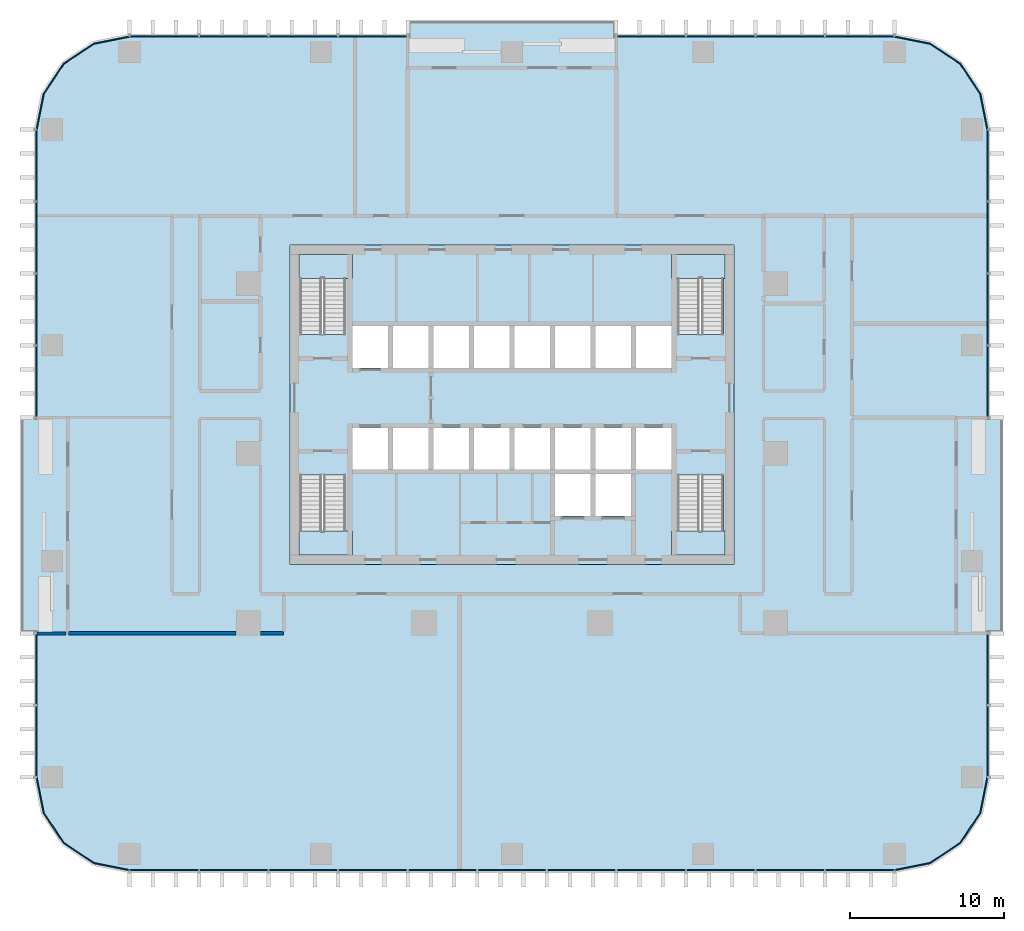
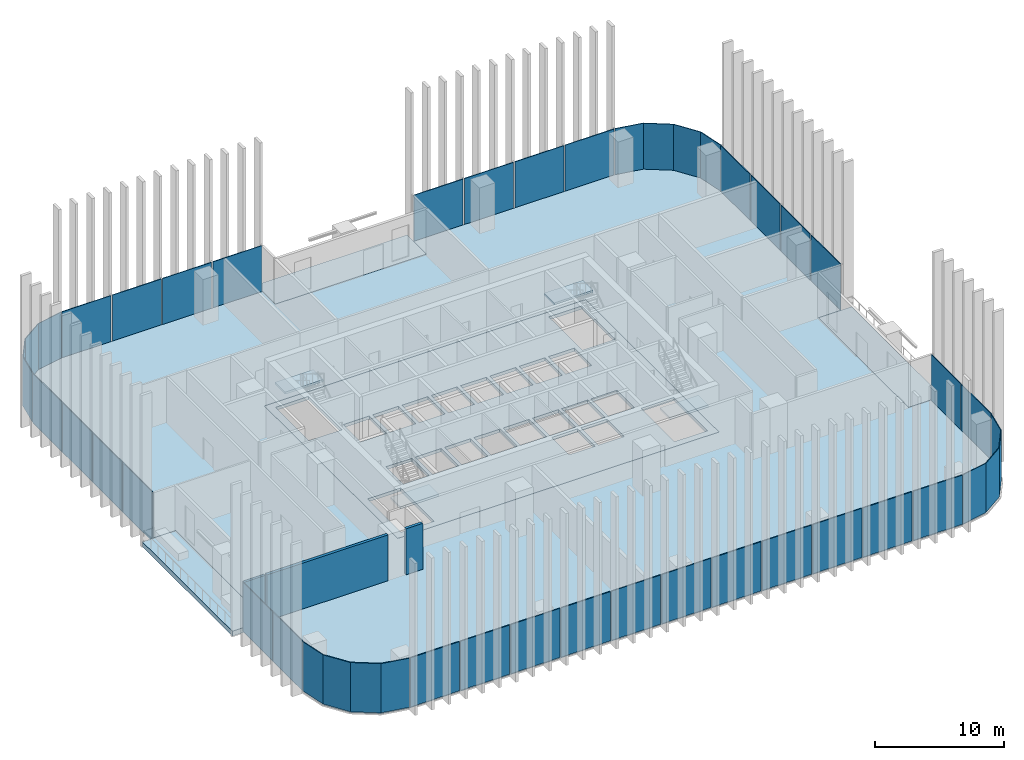
# One storey, part 6 of 17: 35 plates, 9 slabs, 3 walls, 15 elements without a shape of their own.
"""IFC4 building model written with IfcOpenShell, lengths in metres."""

from ifc_helpers import new_model, si_unit, direction, frame, frame_2d, origin, origin_2d, place, context, subcontext, project, spatial, polyline, rectangle, outline, extrude, material, layer, layer_set, type_object, element, aggregate, save


model = new_model("IFC4")

# Units and contexts
model_context = context("Model", 3, precision=1e-05, world=origin(), true_north=direction((0.0, 1.0)))
body_context = subcontext(model_context, "Body", "Model", "MODEL_VIEW")
ifc_project = project(units=[si_unit("LENGTHUNIT", "METRE"), si_unit("AREAUNIT", "SQUARE_METRE"), si_unit("VOLUMEUNIT", "CUBIC_METRE"), si_unit("PLANEANGLEUNIT", "RADIAN"), si_unit("MASSUNIT", "GRAM", prefix="KILO")], contexts=[model_context])

# Site, building, storey
site_placement = place(None, origin())
site = spatial("IfcSite", under=ifc_project, at=site_placement, CompositionType="ELEMENT")
building_placement = place(site_placement, origin())
building = spatial("IfcBuilding", under=site, at=building_placement, Name="Mopane Tessera Tower", CompositionType="ELEMENT")
storey_placement = place(building_placement, frame((0.0, 0.0, 45.39990234375)))
storey = spatial("IfcBuildingStorey", under=building, at=storey_placement, Name="L08", CompositionType="ELEMENT", Elevation=45.39990234375)

# Slab
ifc_material_1 = material(Name="Concrete C40/50", Category="concrete")
ifc_layer_1 = layer(ifc_material_1, 0.300048828125)
ifc_layer_set_1 = layer_set([ifc_layer_1], Name="Concrete C40/50")
slab_type_1 = type_object("IfcSlabType", Name="Core floor slab 300 mm", PredefinedType="FLOOR", material=ifc_layer_set_1)
slab_1_placement = place(storey_placement, frame((0.0, 0.0, -0.2998046875)))
element("IfcSlab", 1, at=slab_1_placement, inside=storey, type_object=slab_type_1, Name="L08 core floor slab", PredefinedType="FLOOR", context=body_context, shape_type="SweptSolid", body=[
    extrude(outline(polyline([(-14.39990234375, -7.199951171875), (14.39990234375, -7.199951171875), (14.39990234375, 13.5), (-14.39990234375, 13.5), (-14.39990234375, -7.199951171875)]), holes=[polyline([(-10.35009765625, -1.050048828125), (-8.02490234375, -1.050048828125), (-8.02490234375, 1.64990234375), (-10.35009765625, 1.64990234375), (-10.35009765625, -1.050048828125)]), polyline([(-7.72509765625, -1.050048828125), (-5.39990234375, -1.050048828125), (-5.39990234375, 1.64990234375), (-7.72509765625, 1.64990234375), (-7.72509765625, -1.050048828125)]), polyline([(-5.10009765625, -1.050048828125), (-2.77490234375, -1.050048828125), (-2.77490234375, 1.64990234375), (-5.10009765625, 1.64990234375), (-5.10009765625, -1.050048828125)]), polyline([(-2.47509765625, -1.050048828125), (-0.14990234375, -1.050048828125), (-0.14990234375, 1.64990234375), (-2.47509765625, 1.64990234375), (-2.47509765625, -1.050048828125)]), polyline([(0.14990234375, -1.050048828125), (2.47509765625, -1.050048828125), (2.47509765625, 1.64990234375), (0.14990234375, 1.64990234375), (0.14990234375, -1.050048828125)]), polyline([(2.77490234375, -1.050048828125), (5.10009765625, -1.050048828125), (5.10009765625, 1.64990234375), (2.77490234375, 1.64990234375), (2.77490234375, -1.050048828125)]), polyline([(5.39990234375, -1.050048828125), (7.72509765625, -1.050048828125), (7.72509765625, 1.64990234375), (5.39990234375, 1.64990234375), (5.39990234375, -1.050048828125)]), polyline([(8.02490234375, -1.050048828125), (10.35009765625, -1.050048828125), (10.35009765625, 1.64990234375), (8.02490234375, 1.64990234375), (8.02490234375, -1.050048828125)]), polyline([(-10.35009765625, 5.550048828125), (-8.02490234375, 5.550048828125), (-8.02490234375, 8.25), (-10.35009765625, 8.25), (-10.35009765625, 5.550048828125)]), polyline([(-7.72509765625, 5.550048828125), (-5.39990234375, 5.550048828125), (-5.39990234375, 8.25), (-7.72509765625, 8.25), (-7.72509765625, 5.550048828125)]), polyline([(-5.10009765625, 5.550048828125), (-2.77490234375, 5.550048828125), (-2.77490234375, 8.25), (-5.10009765625, 8.25), (-5.10009765625, 5.550048828125)]), polyline([(-2.47509765625, 5.550048828125), (-0.14990234375, 5.550048828125), (-0.14990234375, 8.25), (-2.47509765625, 8.25), (-2.47509765625, 5.550048828125)]), polyline([(0.14990234375, 5.550048828125), (2.47509765625, 5.550048828125), (2.47509765625, 8.25), (0.14990234375, 8.25), (0.14990234375, 5.550048828125)]), polyline([(2.77490234375, 5.550048828125), (5.10009765625, 5.550048828125), (5.10009765625, 8.25), (2.77490234375, 8.25), (2.77490234375, 5.550048828125)]), polyline([(5.39990234375, 5.550048828125), (7.72509765625, 5.550048828125), (7.72509765625, 8.25), (5.39990234375, 8.25), (5.39990234375, 5.550048828125)]), polyline([(8.02490234375, 5.550048828125), (10.35009765625, 5.550048828125), (10.35009765625, 8.25), (8.02490234375, 8.25), (8.02490234375, 5.550048828125)]), polyline([(2.77490234375, -4.050048828125), (5.10009765625, -4.050048828125), (5.10009765625, -1.35009765625), (2.77490234375, -1.35009765625), (2.77490234375, -4.050048828125)]), polyline([(5.39990234375, -4.050048828125), (7.72509765625, -4.050048828125), (7.72509765625, -1.35009765625), (5.39990234375, -1.35009765625), (5.39990234375, -4.050048828125)]), polyline([(-13.75, -1.405029296875), (-13.75, -6.60009765625), (-10.800048828125, -6.60009765625), (-10.800048828125, -1.405029296875), (-13.75, -1.405029296875)]), polyline([(-10.800048828125, 7.705078125), (-10.800048828125, 12.89990234375), (-13.75, 12.89990234375), (-13.75, 7.705078125), (-10.800048828125, 7.705078125)]), polyline([(10.75, -1.405029296875), (10.75, -6.60009765625), (13.699951171875, -6.60009765625), (13.699951171875, -1.405029296875), (10.75, -1.405029296875)]), polyline([(13.699951171875, 7.705078125), (13.699951171875, 12.89990234375), (10.75, 12.89990234375), (10.75, 7.705078125), (13.699951171875, 7.705078125)])]), origin(), (0.0, 0.0, 1.0), 0.2998046875),
])

# Stair, slab
ifc_material_2 = material(Name="Concrete C50/60", Category="concrete")
stair_type = type_object("IfcStairType", Name="Escape stair 1400 mm, riser 171 mm", PredefinedType="HALF_TURN_STAIR", material=ifc_material_2)
stair_1_placement = place(storey_placement, origin())
stair_1 = element("IfcStair", 2, at=stair_1_placement, inside=storey, type_object=stair_type, Name="L08 Escape stair south-west", PredefinedType="HALF_TURN_STAIR")
ifc_material_3 = material(Name="Concrete C50/60", Category="concrete")
ifc_layer_2 = layer(ifc_material_3, 0.199951171875)
ifc_layer_set_2 = layer_set([ifc_layer_2], Name="Concrete C50/60")
slab_type_2 = type_object("IfcSlabType", Name="Escape stair landing 200 mm", PredefinedType="LANDING", material=ifc_layer_set_2)
slab_2_placement = place(storey_placement, frame((0.0, 0.0, 2.2001953125)))
slab_2 = element("IfcSlab", 3, at=slab_2_placement, type_object=slab_type_2, Name="ST1 landing 1", PredefinedType="LANDING", context=body_context, shape_type="SweptSolid", body=[
    extrude(outline(polyline([(-13.800048828125, -5.0400390625), (-13.800048828125, -6.60009765625), (-10.35009765625, -6.60009765625), (-10.35009765625, -5.0400390625), (-13.800048828125, -5.0400390625)])), origin(), (0.0, 0.0, 1.0), 0.199951171875),
])
aggregate(stair_1, [slab_2])

stair_2_placement = place(storey_placement, origin())
stair_2 = element("IfcStair", 4, at=stair_2_placement, inside=storey, type_object=stair_type, Name="L08 Escape stair north-west", PredefinedType="HALF_TURN_STAIR")
slab_3_placement = place(storey_placement, frame((0.0, 0.0, 2.2001953125)))
slab_3 = element("IfcSlab", 5, at=slab_3_placement, type_object=slab_type_2, Name="ST2 landing 1", PredefinedType="LANDING", context=body_context, shape_type="SweptSolid", body=[
    extrude(outline(polyline([(-10.35009765625, 11.340087890625), (-10.35009765625, 12.89990234375), (-13.800048828125, 12.89990234375), (-13.800048828125, 11.340087890625), (-10.35009765625, 11.340087890625)])), origin(), (0.0, 0.0, 1.0), 0.199951171875),
])
aggregate(stair_2, [slab_3])

stair_3_placement = place(storey_placement, origin())
stair_3 = element("IfcStair", 6, at=stair_3_placement, inside=storey, type_object=stair_type, Name="L08 Escape stair south-east", PredefinedType="HALF_TURN_STAIR")
slab_4_placement = place(storey_placement, frame((0.0, 0.0, 2.2001953125)))
slab_4 = element("IfcSlab", 7, at=slab_4_placement, type_object=slab_type_2, Name="ST3 landing 1", PredefinedType="LANDING", context=body_context, shape_type="SweptSolid", body=[
    extrude(outline(polyline([(10.35009765625, -5.0400390625), (10.35009765625, -6.60009765625), (13.800048828125, -6.60009765625), (13.800048828125, -5.0400390625), (10.35009765625, -5.0400390625)])), origin(), (0.0, 0.0, 1.0), 0.199951171875),
])
aggregate(stair_3, [slab_4])

stair_4_placement = place(storey_placement, origin())
stair_4 = element("IfcStair", 8, at=stair_4_placement, inside=storey, type_object=stair_type, Name="L08 Escape stair north-east", PredefinedType="HALF_TURN_STAIR")
slab_5_placement = place(storey_placement, frame((0.0, 0.0, 2.2001953125)))
slab_5 = element("IfcSlab", 9, at=slab_5_placement, type_object=slab_type_2, Name="ST4 landing 1", PredefinedType="LANDING", context=body_context, shape_type="SweptSolid", body=[
    extrude(outline(polyline([(13.800048828125, 11.340087890625), (13.800048828125, 12.89990234375), (10.35009765625, 12.89990234375), (10.35009765625, 11.340087890625), (13.800048828125, 11.340087890625)])), origin(), (0.0, 0.0, 1.0), 0.199951171875),
])
aggregate(stair_4, [slab_5])

# Curtain wall, plates
ifc_material_4 = material(Name="Aluminium frame", Category="aluminium")
curtain_wall_type = type_object("IfcCurtainWallType", Name="Lower tower unitised wall", PredefinedType="NOTDEFINED", material=ifc_material_4)
curtain_wall_1_placement = place(storey_placement, origin())
curtain_wall_1 = element("IfcCurtainWall", 10, at=curtain_wall_1_placement, inside=storey, type_object=curtain_wall_type, Name="e:cw:L08:S:0", PredefinedType="NOTDEFINED")
ifc_material_5 = material(Name="Clear laminated glass", Category="glass")
ifc_layer_3 = layer(ifc_material_5, 0.070068359375)
ifc_layer_set_3 = layer_set([ifc_layer_3], Name="Clear laminated glass")
plate_type = type_object("IfcPlateType", Name="Laminated glazed unit 70", PredefinedType="CURTAIN_PANEL", material=ifc_layer_set_3)
plate_1_placement = place(storey_placement, frame((-22.54541015625, -27.034912109375, -0.31005859375), z_axis=(0.0, 0.0, 1.0), x_axis=(1.0, 0.0, 0.0)))
plate_1 = element("IfcPlate", 11, at=plate_1_placement, type_object=plate_type, Name="e:cw:L08:S:0:pn0", PredefinedType="CURTAIN_PANEL", context=body_context, shape_type="SweptSolid", body=[
    extrude(rectangle(XDim=4.399169921875, YDim=0.070068359375, at=origin_2d()), origin(), (0.0, 0.0, 1.0), 4.659912109375),
])
plate_2_placement = place(storey_placement, frame((-18.036376953125, -27.034912109375, -0.31005859375), z_axis=(0.0, 0.0, 1.0), x_axis=(1.0, 0.0, 0.0)))
plate_2 = element("IfcPlate", 12, at=plate_2_placement, type_object=plate_type, Name="e:cw:L08:S:0:pn1", PredefinedType="CURTAIN_PANEL", context=body_context, shape_type="SweptSolid", body=[
    extrude(rectangle(XDim=4.399169921875, YDim=0.070068359375, at=origin_2d()), origin(), (0.0, 0.0, 1.0), 4.659912109375),
])
plate_3_placement = place(storey_placement, frame((-13.52734375, -27.034912109375, -0.31005859375), z_axis=(0.0, 0.0, 1.0), x_axis=(1.0, 0.0, 0.0)))
plate_3 = element("IfcPlate", 13, at=plate_3_placement, type_object=plate_type, Name="e:cw:L08:S:0:pn2", PredefinedType="CURTAIN_PANEL", context=body_context, shape_type="SweptSolid", body=[
    extrude(rectangle(XDim=4.399169921875, YDim=0.070068359375, at=origin_2d()), origin(), (0.0, 0.0, 1.0), 4.659912109375),
])
plate_4_placement = place(storey_placement, frame((-9.01806640625, -27.034912109375, -0.31005859375), z_axis=(0.0, 0.0, 1.0), x_axis=(1.0, 0.0, 0.0)))
plate_4 = element("IfcPlate", 14, at=plate_4_placement, type_object=plate_type, Name="e:cw:L08:S:0:pn3", PredefinedType="CURTAIN_PANEL", context=body_context, shape_type="SweptSolid", body=[
    extrude(rectangle(XDim=4.399169921875, YDim=0.070068359375, at=origin_2d()), origin(), (0.0, 0.0, 1.0), 4.659912109375),
])
plate_5_placement = place(storey_placement, frame((-4.509033203125, -27.034912109375, -0.31005859375), z_axis=(0.0, 0.0, 1.0), x_axis=(1.0, 0.0, 0.0)))
plate_5 = element("IfcPlate", 15, at=plate_5_placement, type_object=plate_type, Name="e:cw:L08:S:0:pn4", PredefinedType="CURTAIN_PANEL", context=body_context, shape_type="SweptSolid", body=[
    extrude(rectangle(XDim=4.399169921875, YDim=0.070068359375, at=origin_2d()), origin(), (0.0, 0.0, 1.0), 4.659912109375),
])
plate_6_placement = place(storey_placement, frame((0.0, -27.034912109375, -0.31005859375), z_axis=(0.0, 0.0, 1.0), x_axis=(1.0, 0.0, 0.0)))
plate_6 = element("IfcPlate", 16, at=plate_6_placement, type_object=plate_type, Name="e:cw:L08:S:0:pn5", PredefinedType="CURTAIN_PANEL", context=body_context, shape_type="SweptSolid", body=[
    extrude(rectangle(XDim=4.399169921875, YDim=0.070068359375, at=origin_2d()), origin(), (0.0, 0.0, 1.0), 4.659912109375),
])
plate_7_placement = place(storey_placement, frame((4.509033203125, -27.034912109375, -0.31005859375), z_axis=(0.0, 0.0, 1.0), x_axis=(1.0, 0.0, 0.0)))
plate_7 = element("IfcPlate", 17, at=plate_7_placement, type_object=plate_type, Name="e:cw:L08:S:0:pn6", PredefinedType="CURTAIN_PANEL", context=body_context, shape_type="SweptSolid", body=[
    extrude(rectangle(XDim=4.399169921875, YDim=0.070068359375, at=origin_2d()), origin(), (0.0, 0.0, 1.0), 4.659912109375),
])
plate_8_placement = place(storey_placement, frame((9.01806640625, -27.034912109375, -0.31005859375), z_axis=(0.0, 0.0, 1.0), x_axis=(1.0, 0.0, 0.0)))
plate_8 = element("IfcPlate", 18, at=plate_8_placement, type_object=plate_type, Name="e:cw:L08:S:0:pn7", PredefinedType="CURTAIN_PANEL", context=body_context, shape_type="SweptSolid", body=[
    extrude(rectangle(XDim=4.399169921875, YDim=0.070068359375, at=origin_2d()), origin(), (0.0, 0.0, 1.0), 4.659912109375),
])
plate_9_placement = place(storey_placement, frame((13.52734375, -27.034912109375, -0.31005859375), z_axis=(0.0, 0.0, 1.0), x_axis=(1.0, 0.0, 0.0)))
plate_9 = element("IfcPlate", 19, at=plate_9_placement, type_object=plate_type, Name="e:cw:L08:S:0:pn8", PredefinedType="CURTAIN_PANEL", context=body_context, shape_type="SweptSolid", body=[
    extrude(rectangle(XDim=4.399169921875, YDim=0.070068359375, at=origin_2d()), origin(), (0.0, 0.0, 1.0), 4.659912109375),
])
plate_10_placement = place(storey_placement, frame((18.036376953125, -27.034912109375, -0.31005859375), z_axis=(0.0, 0.0, 1.0), x_axis=(1.0, 0.0, 0.0)))
plate_10 = element("IfcPlate", 20, at=plate_10_placement, type_object=plate_type, Name="e:cw:L08:S:0:pn9", PredefinedType="CURTAIN_PANEL", context=body_context, shape_type="SweptSolid", body=[
    extrude(rectangle(XDim=4.399169921875, YDim=0.070068359375, at=origin_2d()), origin(), (0.0, 0.0, 1.0), 4.659912109375),
])
plate_11_placement = place(storey_placement, frame((22.54541015625, -27.034912109375, -0.31005859375), z_axis=(0.0, 0.0, 1.0), x_axis=(1.0, 0.0, 0.0)))
plate_11 = element("IfcPlate", 21, at=plate_11_placement, type_object=plate_type, Name="e:cw:L08:S:0:pn10", PredefinedType="CURTAIN_PANEL", context=body_context, shape_type="SweptSolid", body=[
    extrude(rectangle(XDim=4.399169921875, YDim=0.070068359375, at=origin_2d()), origin(), (0.0, 0.0, 1.0), 4.659912109375),
])
aggregate(curtain_wall_1, [plate_1, plate_2, plate_3, plate_4, plate_5, plate_6, plate_7, plate_8, plate_9, plate_10, plate_11])

# Curtain wall, plate
curtain_wall_2_placement = place(storey_placement, origin())
curtain_wall_2 = element("IfcCurtainWall", 22, at=curtain_wall_2_placement, inside=storey, type_object=curtain_wall_type, Name="e:cw:L08:CS", PredefinedType="NOTDEFINED")
plate_12_placement = place(storey_placement, frame((0.0, 0.0, -0.309814453125)))
plate_12 = element("IfcPlate", 23, at=plate_12_placement, type_object=plate_type, Name="e:cw:L08:CS:pn", PredefinedType="CURTAIN_PANEL", context=body_context, shape_type="SweptSolid", body=[
    extrude(outline(polyline([(24.800048828125, -27.0), (27.09619140625, -26.543212890625), (29.042724609375, -25.24267578125), (30.34326171875, -23.296142578125), (30.800048828125, -21.0), (30.8701171875, -21.0), (30.407958984375, -23.322998046875), (29.092041015625, -25.292236328125), (27.122802734375, -26.60791015625), (24.800048828125, -27.070068359375), (24.800048828125, -27.0)])), origin(), (0.0, 0.0, 1.0), 4.659912109375),
])
aggregate(curtain_wall_2, [plate_12])

# Curtain wall, plates
curtain_wall_3_placement = place(storey_placement, origin())
curtain_wall_3 = element("IfcCurtainWall", 24, at=curtain_wall_3_placement, inside=storey, type_object=curtain_wall_type, Name="e:cw:L08:E:0", PredefinedType="NOTDEFINED")
plate_13_placement = place(storey_placement, frame((30.8349609375, -18.666748046875, -0.31005859375), z_axis=(0.0, 0.0, 1.0), x_axis=(0.0, 1.0, 0.0)))
plate_13 = element("IfcPlate", 25, at=plate_13_placement, type_object=plate_type, Name="e:cw:L08:E:0:pn0", PredefinedType="CURTAIN_PANEL", context=body_context, shape_type="SweptSolid", body=[
    extrude(rectangle(XDim=4.556640625, YDim=0.070068359375, at=origin_2d()), origin(), (0.0, 0.0, 1.0), 4.659912109375),
])
plate_14_placement = place(storey_placement, frame((30.8349609375, -14.0, -0.31005859375), z_axis=(0.0, 0.0, 1.0), x_axis=(0.0, 1.0, 0.0)))
plate_14 = element("IfcPlate", 26, at=plate_14_placement, type_object=plate_type, Name="e:cw:L08:E:0:pn1", PredefinedType="CURTAIN_PANEL", context=body_context, shape_type="SweptSolid", body=[
    extrude(rectangle(XDim=4.556640625, YDim=0.070068359375, at=origin_2d()), origin(), (0.0, 0.0, 1.0), 4.659912109375),
])
aggregate(curtain_wall_3, [plate_13, plate_14])

curtain_wall_4_placement = place(storey_placement, origin())
curtain_wall_4 = element("IfcCurtainWall", 27, at=curtain_wall_4_placement, inside=storey, type_object=curtain_wall_type, Name="e:cw:L08:E:5", PredefinedType="NOTDEFINED")
plate_15_placement = place(storey_placement, frame((30.8349609375, 4.666748046875, -0.31005859375), z_axis=(0.0, 0.0, 1.0), x_axis=(0.0, 1.0, 0.0)))
plate_15 = element("IfcPlate", 28, at=plate_15_placement, type_object=plate_type, Name="e:cw:L08:E:5:pn5", PredefinedType="CURTAIN_PANEL", context=body_context, shape_type="SweptSolid", body=[
    extrude(rectangle(XDim=4.556640625, YDim=0.070068359375, at=origin_2d()), origin(), (0.0, 0.0, 1.0), 4.659912109375),
])
plate_16_placement = place(storey_placement, frame((30.8349609375, 9.333251953125, -0.31005859375), z_axis=(0.0, 0.0, 1.0), x_axis=(0.0, 1.0, 0.0)))
plate_16 = element("IfcPlate", 29, at=plate_16_placement, type_object=plate_type, Name="e:cw:L08:E:5:pn6", PredefinedType="CURTAIN_PANEL", context=body_context, shape_type="SweptSolid", body=[
    extrude(rectangle(XDim=4.556640625, YDim=0.070068359375, at=origin_2d()), origin(), (0.0, 0.0, 1.0), 4.659912109375),
])
plate_17_placement = place(storey_placement, frame((30.8349609375, 14.0, -0.31005859375), z_axis=(0.0, 0.0, 1.0), x_axis=(0.0, 1.0, 0.0)))
plate_17 = element("IfcPlate", 30, at=plate_17_placement, type_object=plate_type, Name="e:cw:L08:E:5:pn7", PredefinedType="CURTAIN_PANEL", context=body_context, shape_type="SweptSolid", body=[
    extrude(rectangle(XDim=4.556640625, YDim=0.070068359375, at=origin_2d()), origin(), (0.0, 0.0, 1.0), 4.659912109375),
])
plate_18_placement = place(storey_placement, frame((30.8349609375, 18.666748046875, -0.31005859375), z_axis=(0.0, 0.0, 1.0), x_axis=(0.0, 1.0, 0.0)))
plate_18 = element("IfcPlate", 31, at=plate_18_placement, type_object=plate_type, Name="e:cw:L08:E:5:pn8", PredefinedType="CURTAIN_PANEL", context=body_context, shape_type="SweptSolid", body=[
    extrude(rectangle(XDim=4.556640625, YDim=0.070068359375, at=origin_2d()), origin(), (0.0, 0.0, 1.0), 4.659912109375),
])
aggregate(curtain_wall_4, [plate_15, plate_16, plate_17, plate_18])

# Curtain wall, plate
curtain_wall_5_placement = place(storey_placement, origin())
curtain_wall_5 = element("IfcCurtainWall", 32, at=curtain_wall_5_placement, inside=storey, type_object=curtain_wall_type, Name="e:cw:L08:CE", PredefinedType="NOTDEFINED")
plate_19_placement = place(storey_placement, frame((0.0, 0.0, -0.309814453125)))
plate_19 = element("IfcPlate", 33, at=plate_19_placement, type_object=plate_type, Name="e:cw:L08:CE:pn", PredefinedType="CURTAIN_PANEL", context=body_context, shape_type="SweptSolid", body=[
    extrude(outline(polyline([(30.800048828125, 21.0), (30.34326171875, 23.296142578125), (29.042724609375, 25.24267578125), (27.09619140625, 26.543212890625), (24.800048828125, 27.0), (24.800048828125, 27.070068359375), (27.122802734375, 26.60791015625), (29.092041015625, 25.292236328125), (30.407958984375, 23.322998046875), (30.8701171875, 21.0), (30.800048828125, 21.0)])), origin(), (0.0, 0.0, 1.0), 4.659912109375),
])
aggregate(curtain_wall_5, [plate_19])

# Curtain wall, plates
curtain_wall_6_placement = place(storey_placement, origin())
curtain_wall_6 = element("IfcCurtainWall", 34, at=curtain_wall_6_placement, inside=storey, type_object=curtain_wall_type, Name="e:cw:L08:N:0", PredefinedType="NOTDEFINED")
plate_20_placement = place(storey_placement, frame((22.54541015625, 27.034912109375, -0.31005859375), z_axis=(0.0, 0.0, 1.0), x_axis=(-1.0, 0.0, 0.0)))
plate_20 = element("IfcPlate", 35, at=plate_20_placement, type_object=plate_type, Name="e:cw:L08:N:0:pn0", PredefinedType="CURTAIN_PANEL", context=body_context, shape_type="SweptSolid", body=[
    extrude(rectangle(XDim=4.399169921875, YDim=0.070068359375, at=origin_2d()), origin(), (0.0, 0.0, 1.0), 4.659912109375),
])
plate_21_placement = place(storey_placement, frame((18.036376953125, 27.034912109375, -0.31005859375), z_axis=(0.0, 0.0, 1.0), x_axis=(-1.0, 0.0, 0.0)))
plate_21 = element("IfcPlate", 36, at=plate_21_placement, type_object=plate_type, Name="e:cw:L08:N:0:pn1", PredefinedType="CURTAIN_PANEL", context=body_context, shape_type="SweptSolid", body=[
    extrude(rectangle(XDim=4.399169921875, YDim=0.070068359375, at=origin_2d()), origin(), (0.0, 0.0, 1.0), 4.659912109375),
])
plate_22_placement = place(storey_placement, frame((13.52734375, 27.034912109375, -0.31005859375), z_axis=(0.0, 0.0, 1.0), x_axis=(-1.0, 0.0, 0.0)))
plate_22 = element("IfcPlate", 37, at=plate_22_placement, type_object=plate_type, Name="e:cw:L08:N:0:pn2", PredefinedType="CURTAIN_PANEL", context=body_context, shape_type="SweptSolid", body=[
    extrude(rectangle(XDim=4.399169921875, YDim=0.070068359375, at=origin_2d()), origin(), (0.0, 0.0, 1.0), 4.659912109375),
])
plate_23_placement = place(storey_placement, frame((9.01806640625, 27.034912109375, -0.31005859375), z_axis=(0.0, 0.0, 1.0), x_axis=(-1.0, 0.0, 0.0)))
plate_23 = element("IfcPlate", 38, at=plate_23_placement, type_object=plate_type, Name="e:cw:L08:N:0:pn3", PredefinedType="CURTAIN_PANEL", context=body_context, shape_type="SweptSolid", body=[
    extrude(rectangle(XDim=4.399169921875, YDim=0.070068359375, at=origin_2d()), origin(), (0.0, 0.0, 1.0), 4.659912109375),
])
aggregate(curtain_wall_6, [plate_20, plate_21, plate_22, plate_23])

curtain_wall_7_placement = place(storey_placement, origin())
curtain_wall_7 = element("IfcCurtainWall", 39, at=curtain_wall_7_placement, inside=storey, type_object=curtain_wall_type, Name="e:cw:L08:N:7", PredefinedType="NOTDEFINED")
plate_24_placement = place(storey_placement, frame((-9.01806640625, 27.034912109375, -0.31005859375), z_axis=(0.0, 0.0, 1.0), x_axis=(-1.0, 0.0, 0.0)))
plate_24 = element("IfcPlate", 40, at=plate_24_placement, type_object=plate_type, Name="e:cw:L08:N:7:pn7", PredefinedType="CURTAIN_PANEL", context=body_context, shape_type="SweptSolid", body=[
    extrude(rectangle(XDim=4.399169921875, YDim=0.070068359375, at=origin_2d()), origin(), (0.0, 0.0, 1.0), 4.659912109375),
])
plate_25_placement = place(storey_placement, frame((-13.52734375, 27.034912109375, -0.31005859375), z_axis=(0.0, 0.0, 1.0), x_axis=(-1.0, 0.0, 0.0)))
plate_25 = element("IfcPlate", 41, at=plate_25_placement, type_object=plate_type, Name="e:cw:L08:N:7:pn8", PredefinedType="CURTAIN_PANEL", context=body_context, shape_type="SweptSolid", body=[
    extrude(rectangle(XDim=4.399169921875, YDim=0.070068359375, at=origin_2d()), origin(), (0.0, 0.0, 1.0), 4.659912109375),
])
plate_26_placement = place(storey_placement, frame((-18.036376953125, 27.034912109375, -0.31005859375), z_axis=(0.0, 0.0, 1.0), x_axis=(-1.0, 0.0, 0.0)))
plate_26 = element("IfcPlate", 42, at=plate_26_placement, type_object=plate_type, Name="e:cw:L08:N:7:pn9", PredefinedType="CURTAIN_PANEL", context=body_context, shape_type="SweptSolid", body=[
    extrude(rectangle(XDim=4.399169921875, YDim=0.070068359375, at=origin_2d()), origin(), (0.0, 0.0, 1.0), 4.659912109375),
])
plate_27_placement = place(storey_placement, frame((-22.54541015625, 27.034912109375, -0.31005859375), z_axis=(0.0, 0.0, 1.0), x_axis=(-1.0, 0.0, 0.0)))
plate_27 = element("IfcPlate", 43, at=plate_27_placement, type_object=plate_type, Name="e:cw:L08:N:7:pn10", PredefinedType="CURTAIN_PANEL", context=body_context, shape_type="SweptSolid", body=[
    extrude(rectangle(XDim=4.399169921875, YDim=0.070068359375, at=origin_2d()), origin(), (0.0, 0.0, 1.0), 4.659912109375),
])
aggregate(curtain_wall_7, [plate_24, plate_25, plate_26, plate_27])

# Curtain wall, plate
curtain_wall_8_placement = place(storey_placement, origin())
curtain_wall_8 = element("IfcCurtainWall", 44, at=curtain_wall_8_placement, inside=storey, type_object=curtain_wall_type, Name="e:cw:L08:CN", PredefinedType="NOTDEFINED")
plate_28_placement = place(storey_placement, frame((0.0, 0.0, -0.309814453125)))
plate_28 = element("IfcPlate", 45, at=plate_28_placement, type_object=plate_type, Name="e:cw:L08:CN:pn", PredefinedType="CURTAIN_PANEL", context=body_context, shape_type="SweptSolid", body=[
    extrude(outline(polyline([(-24.800048828125, 27.0), (-27.09619140625, 26.543212890625), (-29.042724609375, 25.24267578125), (-30.34326171875, 23.296142578125), (-30.800048828125, 21.0), (-30.8701171875, 21.0), (-30.407958984375, 23.322998046875), (-29.092041015625, 25.292236328125), (-27.122802734375, 26.60791015625), (-24.800048828125, 27.070068359375), (-24.800048828125, 27.0)])), origin(), (0.0, 0.0, 1.0), 4.659912109375),
])
aggregate(curtain_wall_8, [plate_28])

# Curtain wall, plates
curtain_wall_9_placement = place(storey_placement, origin())
curtain_wall_9 = element("IfcCurtainWall", 46, at=curtain_wall_9_placement, inside=storey, type_object=curtain_wall_type, Name="e:cw:L08:W:0", PredefinedType="NOTDEFINED")
plate_29_placement = place(storey_placement, frame((-30.8349609375, 18.666748046875, -0.31005859375), z_axis=(0.0, 0.0, 1.0), x_axis=(0.0, -1.0, 0.0)))
plate_29 = element("IfcPlate", 47, at=plate_29_placement, type_object=plate_type, Name="e:cw:L08:W:0:pn0", PredefinedType="CURTAIN_PANEL", context=body_context, shape_type="SweptSolid", body=[
    extrude(rectangle(XDim=4.556640625, YDim=0.070068359375, at=origin_2d()), origin(), (0.0, 0.0, 1.0), 4.659912109375),
])
plate_30_placement = place(storey_placement, frame((-30.8349609375, 14.0, -0.31005859375), z_axis=(0.0, 0.0, 1.0), x_axis=(0.0, -1.0, 0.0)))
plate_30 = element("IfcPlate", 48, at=plate_30_placement, type_object=plate_type, Name="e:cw:L08:W:0:pn1", PredefinedType="CURTAIN_PANEL", context=body_context, shape_type="SweptSolid", body=[
    extrude(rectangle(XDim=4.556640625, YDim=0.070068359375, at=origin_2d()), origin(), (0.0, 0.0, 1.0), 4.659912109375),
])
plate_31_placement = place(storey_placement, frame((-30.8349609375, 9.333251953125, -0.31005859375), z_axis=(0.0, 0.0, 1.0), x_axis=(0.0, -1.0, 0.0)))
plate_31 = element("IfcPlate", 49, at=plate_31_placement, type_object=plate_type, Name="e:cw:L08:W:0:pn2", PredefinedType="CURTAIN_PANEL", context=body_context, shape_type="SweptSolid", body=[
    extrude(rectangle(XDim=4.556640625, YDim=0.070068359375, at=origin_2d()), origin(), (0.0, 0.0, 1.0), 4.659912109375),
])
plate_32_placement = place(storey_placement, frame((-30.8349609375, 4.666748046875, -0.31005859375), z_axis=(0.0, 0.0, 1.0), x_axis=(0.0, -1.0, 0.0)))
plate_32 = element("IfcPlate", 50, at=plate_32_placement, type_object=plate_type, Name="e:cw:L08:W:0:pn3", PredefinedType="CURTAIN_PANEL", context=body_context, shape_type="SweptSolid", body=[
    extrude(rectangle(XDim=4.556640625, YDim=0.070068359375, at=origin_2d()), origin(), (0.0, 0.0, 1.0), 4.659912109375),
])
aggregate(curtain_wall_9, [plate_29, plate_30, plate_31, plate_32])

curtain_wall_10_placement = place(storey_placement, origin())
curtain_wall_10 = element("IfcCurtainWall", 51, at=curtain_wall_10_placement, inside=storey, type_object=curtain_wall_type, Name="e:cw:L08:W:7", PredefinedType="NOTDEFINED")
plate_33_placement = place(storey_placement, frame((-30.8349609375, -14.0, -0.31005859375), z_axis=(0.0, 0.0, 1.0), x_axis=(0.0, -1.0, 0.0)))
plate_33 = element("IfcPlate", 52, at=plate_33_placement, type_object=plate_type, Name="e:cw:L08:W:7:pn7", PredefinedType="CURTAIN_PANEL", context=body_context, shape_type="SweptSolid", body=[
    extrude(rectangle(XDim=4.556640625, YDim=0.070068359375, at=origin_2d()), origin(), (0.0, 0.0, 1.0), 4.659912109375),
])
plate_34_placement = place(storey_placement, frame((-30.8349609375, -18.666748046875, -0.31005859375), z_axis=(0.0, 0.0, 1.0), x_axis=(0.0, -1.0, 0.0)))
plate_34 = element("IfcPlate", 53, at=plate_34_placement, type_object=plate_type, Name="e:cw:L08:W:7:pn8", PredefinedType="CURTAIN_PANEL", context=body_context, shape_type="SweptSolid", body=[
    extrude(rectangle(XDim=4.556640625, YDim=0.070068359375, at=origin_2d()), origin(), (0.0, 0.0, 1.0), 4.659912109375),
])
aggregate(curtain_wall_10, [plate_33, plate_34])

# Curtain wall, plate
curtain_wall_11_placement = place(storey_placement, origin())
curtain_wall_11 = element("IfcCurtainWall", 54, at=curtain_wall_11_placement, inside=storey, type_object=curtain_wall_type, Name="e:cw:L08:CW", PredefinedType="NOTDEFINED")
plate_35_placement = place(storey_placement, frame((0.0, 0.0, -0.309814453125)))
plate_35 = element("IfcPlate", 55, at=plate_35_placement, type_object=plate_type, Name="e:cw:L08:CW:pn", PredefinedType="CURTAIN_PANEL", context=body_context, shape_type="SweptSolid", body=[
    extrude(outline(polyline([(-30.800048828125, -21.0), (-30.34326171875, -23.296142578125), (-29.042724609375, -25.24267578125), (-27.09619140625, -26.543212890625), (-24.800048828125, -27.0), (-24.800048828125, -27.070068359375), (-27.122802734375, -26.60791015625), (-29.092041015625, -25.292236328125), (-30.407958984375, -23.322998046875), (-30.8701171875, -21.0), (-30.800048828125, -21.0)])), origin(), (0.0, 0.0, 1.0), 4.659912109375),
])
aggregate(curtain_wall_11, [plate_35])

# Slabs
ifc_material_6 = material(Name="Concrete C40/50", Category="concrete")
ifc_layer_4 = layer(ifc_material_6, 0.449951171875)
ifc_layer_set_4 = layer_set([ifc_layer_4], Name="Concrete C40/50")
slab_type_3 = type_object("IfcSlabType", Name="Planted terrace slab 450 mm", PredefinedType="FLOOR", material=ifc_layer_set_4)
slab_6_placement = place(storey_placement, frame((0.0, 0.0, -0.449951171875)))
element("IfcSlab", 56, at=slab_6_placement, inside=storey, type_object=slab_type_3, Name="Terrace slab N1 L08", PredefinedType="FLOOR", context=body_context, shape_type="SweptSolid", body=[
    extrude(outline(polyline([(31.800048828125, 2.333251953125), (28.800048828125, 2.333251953125), (28.800048828125, -11.666748046875), (31.800048828125, -11.666748046875), (31.800048828125, 2.333251953125)])), origin(), (0.0, 0.0, 1.0), 0.449951171875),
])
slab_7_placement = place(storey_placement, frame((0.0, 0.0, -0.449951171875)))
element("IfcSlab", 57, at=slab_7_placement, inside=storey, type_object=slab_type_3, Name="Terrace slab N2 L08", PredefinedType="FLOOR", context=body_context, shape_type="SweptSolid", body=[
    extrude(outline(polyline([(-6.763671875, 28.0), (-6.763671875, 25.0), (6.763671875, 25.0), (6.763671875, 28.0), (-6.763671875, 28.0)])), origin(), (0.0, 0.0, 1.0), 0.449951171875),
])
slab_8_placement = place(storey_placement, frame((0.0, 0.0, -0.449951171875)))
element("IfcSlab", 58, at=slab_8_placement, inside=storey, type_object=slab_type_3, Name="Terrace slab N3 L08", PredefinedType="FLOOR", context=body_context, shape_type="SweptSolid", body=[
    extrude(outline(polyline([(-31.800048828125, -11.666748046875), (-28.800048828125, -11.666748046875), (-28.800048828125, 2.333251953125), (-31.800048828125, 2.333251953125), (-31.800048828125, -11.666748046875)])), origin(), (0.0, 0.0, 1.0), 0.449951171875),
])
ifc_material_7 = material(Name="Concrete C40/50", Category="concrete")
ifc_layer_5 = layer(ifc_material_7, 0.449951171875)
ifc_layer_set_5 = layer_set([ifc_layer_5], Name="Concrete C40/50")
slab_type_4 = type_object("IfcSlabType", Name="Post-tensioned flat plate 450 mm", PredefinedType="FLOOR", material=ifc_layer_set_5)
slab_9_placement = place(storey_placement, frame((0.0, 0.0, -0.449951171875)))
element("IfcSlab", 59, at=slab_9_placement, inside=storey, type_object=slab_type_4, Name="Floor slab L08", PredefinedType="FLOOR", context=body_context, shape_type="SweptSolid", body=[
    extrude(outline(polyline([(30.800048828125, -21.0), (30.800048828125, -11.666748046875), (28.800048828125, -11.666748046875), (28.800048828125, 2.333251953125), (30.800048828125, 2.333251953125), (30.800048828125, 21.0), (30.34326171875, 23.296142578125), (29.042724609375, 25.24267578125), (27.09619140625, 26.543212890625), (24.800048828125, 27.0), (6.763671875, 27.0), (6.763671875, 25.0), (-6.763671875, 25.0), (-6.763671875, 27.0), (-24.800048828125, 27.0), (-27.09619140625, 26.543212890625), (-29.042724609375, 25.24267578125), (-30.34326171875, 23.296142578125), (-30.800048828125, 21.0), (-30.800048828125, 2.333251953125), (-28.800048828125, 2.333251953125), (-28.800048828125, -11.666748046875), (-30.800048828125, -11.666748046875), (-30.800048828125, -21.0), (-30.34326171875, -23.296142578125), (-29.042724609375, -25.24267578125), (-27.09619140625, -26.543212890625), (-24.800048828125, -27.0), (24.800048828125, -27.0), (27.09619140625, -26.543212890625), (29.042724609375, -25.24267578125), (30.34326171875, -23.296142578125), (30.800048828125, -21.0)]), holes=[polyline([(14.39990234375, -7.199951171875), (-14.39990234375, -7.199951171875), (-14.39990234375, 13.5), (14.39990234375, 13.5), (14.39990234375, -7.199951171875)])]), origin(), (0.0, 0.0, 1.0), 0.449951171875),
])

# Walls
ifc_material_8 = material(Name="Plastered concrete blockwork C20/25", Category="masonry")
ifc_layer_6 = layer(ifc_material_8, 0.25)
ifc_layer_set_6 = layer_set([ifc_layer_6], Name="Plastered concrete blockwork C20/25")
wall_type_1 = type_object("IfcWallType", Name="Plastered blockwork wall 250, rated EI 120", PredefinedType="PARTITIONING", material=ifc_layer_set_6)
wall_1_placement = place(storey_placement, frame((-28.75, -11.6650390625, 0.0), z_axis=(0.0, 0.0, 1.0), x_axis=(1.0, 0.0, 0.0)))
element("IfcWall", 60, at=wall_1_placement, inside=storey, type_object=wall_type_1, Name="Partition L08:000", PredefinedType="PARTITIONING", context=body_context, shape_type="SweptSolid", body=[
    extrude(rectangle(XDim=10.85009765625, YDim=0.25, at=frame_2d((5.425048828125, 0.0))), origin(), (0.0, 0.0, 1.0), 4.35009765625),
])
wall_2_placement = place(storey_placement, frame((-16.300048828125, -11.6650390625, 0.0), z_axis=(0.0, 0.0, 1.0), x_axis=(1.0, 0.0, 0.0)))
element("IfcWall", 61, at=wall_2_placement, inside=storey, type_object=wall_type_1, Name="Partition L08:001", PredefinedType="PARTITIONING", context=body_context, shape_type="SweptSolid", body=[
    extrude(rectangle(XDim=1.5, YDim=0.25, at=frame_2d((0.75, 0.0))), origin(), (0.0, 0.0, 1.0), 4.35009765625),
])
ifc_material_9 = material(Name="Blockwork with glazed tile facing", Category="masonry")
ifc_layer_7 = layer(ifc_material_9, 0.199951171875)
ifc_layer_set_7 = layer_set([ifc_layer_7], Name="Blockwork with glazed tile facing")
wall_type_2 = type_object("IfcWallType", Name="Terrace cheek wall 200", PredefinedType="STANDARD", material=ifc_layer_set_7)
wall_3_placement = place(storey_placement, frame((-30.800048828125, -11.666748046875, 0.0), z_axis=(0.0, 0.0, 1.0), x_axis=(1.0, 0.0, 0.0)))
element("IfcWall", 62, at=wall_3_placement, inside=storey, type_object=wall_type_2, Name="e:nw:L08:N3:cheekb", PredefinedType="STANDARD", context=body_context, shape_type="SweptSolid", body=[
    extrude(rectangle(XDim=1.875, YDim=0.199951171875, at=frame_2d((0.9375, 0.0))), origin(), (0.0, 0.0, 1.0), 4.35009765625),
])

save(model, "model.ifc")
